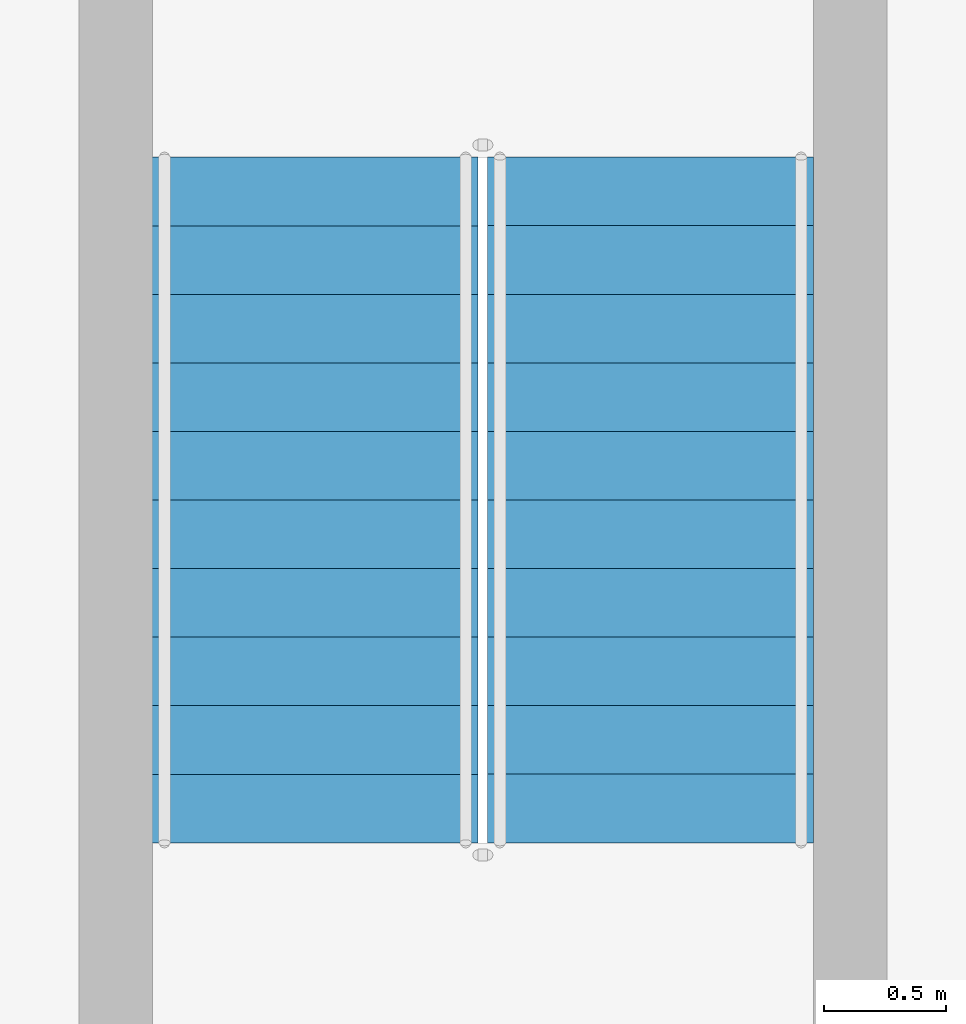
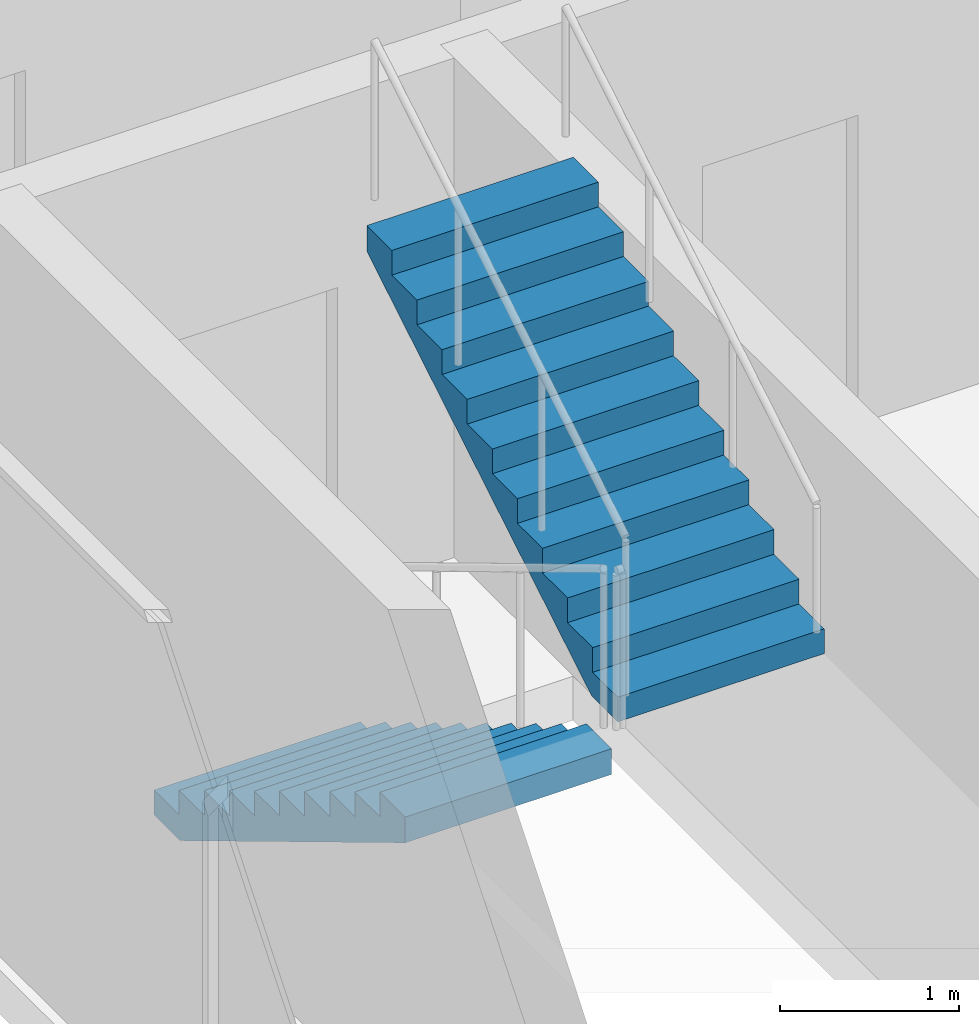
# One storey, part 15 of 23: 2 stair flights, 1 element without a shape of its own.
"""IFC4 building model written with IfcOpenShell, lengths in metres."""

import ifcopenshell
import ifcopenshell.guid

model = None  # the IFC model being written
_history = None  # IfcOwnerHistory: only IFC2X3 demands one
_inside = {}  # id of a spatial element -> (the spatial element, [elements in it])
_under = {}  # id of a project, library or spatial element -> (it, [spatial elements below it])
_declared = {}  # id of a project -> (the project, [libraries it declares])
_typed = {}  # id of a type object -> (the type object, [elements of that type])
_made_of = {}  # id of a material, layer set ... -> (it, [elements and type objects made of it])


def new_model(schema):
    """Start an empty IFC model of exactly this schema.

    Asked for "IFC4X3", IfcOpenShell would pick the latest addendum, in which some entities
    have other attributes; the version numbers below select the first issue.
    IFC2X3 requires an IfcOwnerHistory on every rooted entity: one is made here for all.
    """
    global model, _history
    if schema == "IFC4X3":
        model = ifcopenshell.file(schema_version=(4, 3, 0, 0))
    else:
        model = ifcopenshell.file(schema=schema)
    _inside.clear()
    _under.clear()
    _declared.clear()
    _typed.clear()
    _made_of.clear()
    _history = None
    if model.schema == "IFC2X3":
        org = make("IfcOrganization", Name="unknown")
        user = make(
            "IfcPersonAndOrganization",
            ThePerson=make("IfcPerson", FamilyName="unknown"),
            TheOrganization=org,
        )
        app = make(
            "IfcApplication",
            ApplicationDeveloper=org,
            Version="unknown",
            ApplicationFullName="unknown",
            ApplicationIdentifier="unknown",
        )
        _history = make(
            "IfcOwnerHistory",
            OwningUser=user,
            OwningApplication=app,
            ChangeAction="ADDED",
            CreationDate=0,
        )
    return model


def make(cls, **values):
    """One entity of the class cls with the attributes given. An attribute that is None is left unset."""
    return model.create_entity(
        cls, **{name: value for name, value in values.items() if value is not None}
    )


def rooted(cls, **values):
    """An entity with a GlobalId (a new one), such as an element, a storey or a relation."""
    return make(cls, GlobalId=ifcopenshell.guid.new(), OwnerHistory=_history, **values)


def si_unit(unit_type, name, prefix=None):
    """IfcSIUnit, for example si_unit("LENGTHUNIT", "METRE", prefix="MILLI")."""
    return make("IfcSIUnit", UnitType=unit_type, Prefix=prefix, Name=name)


def assignment(units):
    """IfcUnitAssignment: the units of a project."""
    return None if units is None else make("IfcUnitAssignment", Units=units)


def point(xyz):
    """IfcCartesianPoint."""
    return None if xyz is None else make("IfcCartesianPoint", Coordinates=xyz)


def direction(xyz):
    """IfcDirection."""
    return None if xyz is None else make("IfcDirection", DirectionRatios=xyz)


def frame(location, z_axis=None, x_axis=None):
    """IfcAxis2Placement3D, a coordinate frame: its origin and axes. An axis left out is left unset."""
    return make(
        "IfcAxis2Placement3D",
        Location=point(location),
        Axis=direction(z_axis),
        RefDirection=direction(x_axis),
    )


def origin():
    """The frame at (0, 0, 0) with its axes left unset."""
    return frame((0.0, 0.0, 0.0))


def place(relative_to, where):
    """IfcLocalPlacement: puts the frame where relative to a parent placement (None: the world)."""
    return make(
        "IfcLocalPlacement", PlacementRelTo=relative_to, RelativePlacement=where
    )


def context(
    kind, dimensions, precision=None, world=None, true_north=None, identifier=None
):
    """IfcGeometricRepresentationContext, for example the 3D "Model" context."""
    return make(
        "IfcGeometricRepresentationContext",
        ContextIdentifier=identifier,
        ContextType=kind,
        CoordinateSpaceDimension=dimensions,
        Precision=precision,
        WorldCoordinateSystem=world,
        TrueNorth=true_north,
    )


def subcontext(parent, identifier, kind, view, scale=None):
    """IfcGeometricRepresentationSubContext, for example "Body" below "Model"."""
    return make(
        "IfcGeometricRepresentationSubContext",
        ContextIdentifier=identifier,
        ContextType=kind,
        ParentContext=parent,
        TargetScale=scale,
        TargetView=view,
    )


def project(units=None, contexts=None):
    """IfcProject with its units and contexts."""
    return rooted(
        "IfcProject",
        Name="project",
        RepresentationContexts=contexts,
        UnitsInContext=assignment(units),
    )


def spatial(cls, under=None, at=None, **own):
    """A site, building, storey or space (cls), placed at a placement, below another one or the project."""
    s = rooted(cls, ObjectPlacement=at, **own)
    if under is not None:
        _under.setdefault(under.id(), (under, []))[1].append(s)
    return s


def point_list(points):
    """IfcCartesianPointList2D or 3D."""
    cls = (
        "IfcCartesianPointList2D" if len(points[0]) == 2 else "IfcCartesianPointList3D"
    )
    return make(cls, CoordList=points)


def triangles(points, corners, closed=None, point_numbers=None):
    """IfcTriangulatedFaceSet: each triangle names its three corners, points numbered from 1."""
    return make(
        "IfcTriangulatedFaceSet",
        Coordinates=point_list(points),
        Closed=closed,
        CoordIndex=corners,
        PnIndex=point_numbers,
    )


def shape(context_of_items, identifier, shape_type, items):
    """IfcShapeRepresentation: the items that make up one representation, for example the "Body"."""
    return make(
        "IfcShapeRepresentation",
        ContextOfItems=context_of_items,
        RepresentationIdentifier=identifier,
        RepresentationType=shape_type,
        Items=items,
    )


def source(mapping_origin, context_of_items, identifier, shape_type, items):
    """IfcRepresentationMap: a shape defined once, which mapped items show again and again."""
    return make(
        "IfcRepresentationMap",
        MappingOrigin=mapping_origin,
        MappedRepresentation=shape(context_of_items, identifier, shape_type, items),
    )


def transform(
    local_origin,
    x_axis=None,
    y_axis=None,
    z_axis=None,
    scale=None,
    scale2=None,
    scale3=None,
    uniform=True,
):
    """IfcCartesianTransformationOperator3D, or its non-uniform kind. x_axis, y_axis, z_axis: its Axis1, 2, 3."""
    if uniform:
        return make(
            "IfcCartesianTransformationOperator3D",
            Axis1=direction(x_axis),
            Axis2=direction(y_axis),
            LocalOrigin=point(local_origin),
            Scale=scale,
            Axis3=direction(z_axis),
        )
    return make(
        "IfcCartesianTransformationOperator3DnonUniform",
        Axis1=direction(x_axis),
        Axis2=direction(y_axis),
        LocalOrigin=point(local_origin),
        Scale=scale,
        Axis3=direction(z_axis),
        Scale2=scale2,
        Scale3=scale3,
    )


def mapped(mapping_source, mapping_target):
    """IfcMappedItem: shows the shape of a source again, moved by a transform."""
    return make(
        "IfcMappedItem", MappingSource=mapping_source, MappingTarget=mapping_target
    )


def material(Name=None, Category=None):
    """IfcMaterial."""
    return make("IfcMaterial", Name=Name, Category=Category)


def made_of(thing, what):
    """Note that an element or type object is made of a material, layer set ...; save() writes the relation."""
    if what is not None:
        _made_of.setdefault(what.id(), (what, []))[1].append(thing)
    return thing


def type_object(cls, material=None, **own):
    """A type object (cls), such as IfcWallType, which elements share."""
    return made_of(rooted(cls, **own), material)


def element(
    cls,
    number,
    at=None,
    inside=None,
    cuts=None,
    type_object=None,
    material=None,
    context=None,
    identifier="Body",
    shape_type=None,
    held_by="IfcProductDefinitionShape",
    body=None,
    shapes=None,
    **own,
):
    """One element of the class cls, such as IfcWall. Its Tag is "e" and its number.

    at: its placement. inside: the storey or other place that contains it. cuts: it is an
    opening in that element (IfcRelVoidsElement). A single representation is given by context,
    identifier, shape_type and body (its items); several are given by shapes. held_by: the class
    of the entity that holds the representations. save() writes the other relations.
    """
    e = rooted(cls, Tag="e%d" % number, ObjectPlacement=at, **own)
    if body is not None:
        shapes = [shape(context, identifier, shape_type, body)]
    if shapes is not None:
        e.Representation = make(held_by, Representations=shapes)
    if inside is not None:
        _inside.setdefault(inside.id(), (inside, []))[1].append(e)
    if cuts is not None:
        rooted(
            "IfcRelVoidsElement", RelatingBuildingElement=cuts, RelatedOpeningElement=e
        )
    if type_object is not None:
        _typed.setdefault(type_object.id(), (type_object, []))[1].append(e)
    return made_of(e, material)


def aggregate(whole, parts):
    """IfcRelAggregates: a whole, such as a stair, and the parts it consists of."""
    return rooted("IfcRelAggregates", RelatingObject=whole, RelatedObjects=parts)


def save(model, path):
    """Write the relations noted so far, then the file.

    IfcRelAggregates (storeys below a building ...), IfcRelContainedInSpatialStructure (elements
    in a storey), IfcRelDefinesByType, IfcRelAssociatesMaterial and IfcRelDeclares: one each for
    every whole, place, type object, material and project.
    """
    for whole, parts in _under.values():
        aggregate(whole, parts)
    for where, things in _inside.values():
        rooted(
            "IfcRelContainedInSpatialStructure",
            RelatedElements=things,
            RelatingStructure=where,
        )
    for kind, things in _typed.values():
        rooted("IfcRelDefinesByType", RelatedObjects=things, RelatingType=kind)
    for what, things in _made_of.values():
        rooted("IfcRelAssociatesMaterial", RelatedObjects=things, RelatingMaterial=what)
    for by, libraries in _declared.values():
        rooted("IfcRelDeclares", RelatingContext=by, RelatedDefinitions=libraries)
    model.write(path)


model = new_model("IFC4")

# Units and contexts
model_context = context("Model", 3, precision=1e-05, world=origin(), true_north=direction((0.0, 1.0)))
body_context = subcontext(model_context, "Body", "Model", "MODEL_VIEW")
ifc_project = project(units=[si_unit("LENGTHUNIT", "METRE"), si_unit("AREAUNIT", "SQUARE_METRE"), si_unit("VOLUMEUNIT", "CUBIC_METRE"), si_unit("PLANEANGLEUNIT", "RADIAN"), si_unit("MASSUNIT", "GRAM", prefix="KILO")], contexts=[model_context])

# Site, building, storey
site_placement = place(None, origin())
site = spatial("IfcSite", under=ifc_project, at=site_placement, CompositionType="ELEMENT")
building_placement = place(site_placement, origin())
building = spatial("IfcBuilding", under=site, at=building_placement, Name="Ogive Portal Towers", CompositionType="ELEMENT")
storey_placement = place(building_placement, frame((0.0, 0.0, 164.39990234375)))
storey = spatial("IfcBuildingStorey", under=building, at=storey_placement, Name="L40", CompositionType="ELEMENT", Elevation=164.39990234375)

# Stair, stair flights
ifc_material = material(Name="Concrete C40/50", Category="concrete")
stair_type = type_object("IfcStairType", Name="INT-STAIR", PredefinedType="HALF_TURN_STAIR", material=ifc_material)
stair_placement = place(storey_placement, origin())
stair = element("IfcStair", 1, at=stair_placement, inside=storey, type_object=stair_type, Name="L40 Exit Stair ST-A4", PredefinedType="HALF_TURN_STAIR")
stair_flight_type = type_object("IfcStairFlightType", Name="INT-FLIGHT", PredefinedType="STRAIGHT", material=ifc_material)
shared_shape = source(origin(), body_context, "Body", "Tessellation", [
    triangles([(0.0, -0.6650390625, 0.0), (0.0, -0.384765625, 0.0), (0.0, -0.197021484375, 0.0), (0.0, -0.0830078125, 0.0), (0.0, -0.024658203125, 0.0), (0.0, -0.003173828125, 0.0), (0.0, 0.0, 0.0), (0.0, 0.003173828125, 0.0), (0.0, 0.024658203125, 0.0), (0.0, 0.0830078125, 0.0), (0.0, 0.197021484375, 0.0), (0.0, 0.384765625, 0.0), (0.0, 0.6650390625, 0.0), (0.0, -0.6650390625, 0.168212890625), (0.0, -0.384765625, 0.168212890625), (0.0, -0.197021484375, 0.168212890625), (0.0, -0.0830078125, 0.168212890625), (0.0, -0.024658203125, 0.168212890625), (0.0, -0.003173828125, 0.168212890625), (0.0, 0.0, 0.168212890625), (0.0, 0.003173828125, 0.168212890625), (0.0, 0.024658203125, 0.168212890625), (0.0, 0.0830078125, 0.168212890625), (0.0, 0.197021484375, 0.168212890625), (0.0, 0.384765625, 0.168212890625), (0.0, 0.6650390625, 0.168212890625), (0.280029296875, -0.6650390625, 0.168212890625), (0.280029296875, -0.384765625, 0.168212890625), (0.280029296875, -0.197021484375, 0.168212890625), (0.280029296875, -0.0830078125, 0.168212890625), (0.280029296875, -0.024658203125, 0.168212890625), (0.280029296875, -0.003173828125, 0.168212890625), (0.280029296875, 0.0, 0.168212890625), (0.280029296875, 0.003173828125, 0.168212890625), (0.280029296875, 0.024658203125, 0.168212890625), (0.280029296875, 0.0830078125, 0.168212890625), (0.280029296875, 0.197021484375, 0.168212890625), (0.280029296875, 0.384765625, 0.168212890625), (0.280029296875, 0.6650390625, 0.168212890625), (0.280029296875, -0.6650390625, 0.33642578125), (0.280029296875, -0.384765625, 0.33642578125), (0.280029296875, -0.197021484375, 0.33642578125), (0.280029296875, -0.0830078125, 0.33642578125), (0.280029296875, -0.024658203125, 0.33642578125), (0.280029296875, -0.003173828125, 0.33642578125), (0.280029296875, 0.0, 0.33642578125), (0.280029296875, 0.003173828125, 0.33642578125), (0.280029296875, 0.024658203125, 0.33642578125), (0.280029296875, 0.0830078125, 0.33642578125), (0.280029296875, 0.197021484375, 0.33642578125), (0.280029296875, 0.384765625, 0.33642578125), (0.280029296875, 0.6650390625, 0.33642578125), (0.56005859375, -0.6650390625, 0.33642578125), (0.56005859375, -0.384765625, 0.33642578125), (0.56005859375, -0.197021484375, 0.33642578125), (0.56005859375, -0.0830078125, 0.33642578125), (0.56005859375, -0.024658203125, 0.33642578125), (0.56005859375, -0.003173828125, 0.33642578125), (0.56005859375, 0.0, 0.33642578125), (0.56005859375, 0.003173828125, 0.33642578125), (0.56005859375, 0.024658203125, 0.33642578125), (0.56005859375, 0.0830078125, 0.33642578125), (0.56005859375, 0.197021484375, 0.33642578125), (0.56005859375, 0.384765625, 0.33642578125), (0.56005859375, 0.6650390625, 0.33642578125), (0.56005859375, -0.6650390625, 0.504638671875), (0.56005859375, -0.384765625, 0.504638671875), (0.56005859375, -0.197021484375, 0.504638671875), (0.56005859375, -0.0830078125, 0.504638671875), (0.56005859375, -0.024658203125, 0.504638671875), (0.56005859375, -0.003173828125, 0.504638671875), (0.56005859375, 0.0, 0.504638671875), (0.56005859375, 0.003173828125, 0.504638671875), (0.56005859375, 0.024658203125, 0.504638671875), (0.56005859375, 0.0830078125, 0.504638671875), (0.56005859375, 0.197021484375, 0.504638671875), (0.56005859375, 0.384765625, 0.504638671875), (0.56005859375, 0.6650390625, 0.504638671875), (0.840087890625, -0.6650390625, 0.504638671875), (0.840087890625, -0.384765625, 0.504638671875), (0.840087890625, -0.197021484375, 0.504638671875), (0.840087890625, -0.0830078125, 0.504638671875), (0.840087890625, -0.024658203125, 0.504638671875), (0.840087890625, -0.003173828125, 0.504638671875), (0.840087890625, 0.0, 0.504638671875), (0.840087890625, 0.003173828125, 0.504638671875), (0.840087890625, 0.024658203125, 0.504638671875), (0.840087890625, 0.0830078125, 0.504638671875), (0.840087890625, 0.197021484375, 0.504638671875), (0.840087890625, 0.384765625, 0.504638671875), (0.840087890625, 0.6650390625, 0.504638671875), (0.840087890625, -0.6650390625, 0.672607421875), (0.840087890625, -0.384765625, 0.672607421875), (0.840087890625, -0.197021484375, 0.672607421875), (0.840087890625, -0.0830078125, 0.672607421875), (0.840087890625, -0.024658203125, 0.672607421875), (0.840087890625, -0.003173828125, 0.672607421875), (0.840087890625, 0.0, 0.672607421875), (0.840087890625, 0.003173828125, 0.672607421875), (0.840087890625, 0.024658203125, 0.672607421875), (0.840087890625, 0.0830078125, 0.672607421875), (0.840087890625, 0.197021484375, 0.672607421875), (0.840087890625, 0.384765625, 0.672607421875), (0.840087890625, 0.6650390625, 0.672607421875), (1.1201171875, -0.6650390625, 0.672607421875), (1.1201171875, -0.384765625, 0.672607421875), (1.1201171875, -0.197021484375, 0.672607421875), (1.1201171875, -0.0830078125, 0.672607421875), (1.1201171875, -0.024658203125, 0.672607421875), (1.1201171875, -0.003173828125, 0.672607421875), (1.1201171875, 0.0, 0.672607421875), (1.1201171875, 0.003173828125, 0.672607421875), (1.1201171875, 0.024658203125, 0.672607421875), (1.1201171875, 0.0830078125, 0.672607421875), (1.1201171875, 0.197021484375, 0.672607421875), (1.1201171875, 0.384765625, 0.672607421875), (1.1201171875, 0.6650390625, 0.672607421875), (1.1201171875, -0.6650390625, 0.8408203125), (1.1201171875, -0.384765625, 0.8408203125), (1.1201171875, -0.197021484375, 0.8408203125), (1.1201171875, -0.0830078125, 0.8408203125), (1.1201171875, -0.024658203125, 0.8408203125), (1.1201171875, -0.003173828125, 0.8408203125), (1.1201171875, 0.0, 0.8408203125), (1.1201171875, 0.003173828125, 0.8408203125), (1.1201171875, 0.024658203125, 0.8408203125), (1.1201171875, 0.0830078125, 0.8408203125), (1.1201171875, 0.197021484375, 0.8408203125), (1.1201171875, 0.384765625, 0.8408203125), (1.1201171875, 0.6650390625, 0.8408203125), (1.39990234375, -0.6650390625, 0.8408203125), (1.39990234375, -0.384765625, 0.8408203125), (1.39990234375, -0.197021484375, 0.8408203125), (1.39990234375, -0.0830078125, 0.8408203125), (1.39990234375, -0.024658203125, 0.8408203125), (1.39990234375, -0.003173828125, 0.8408203125), (1.39990234375, 0.0, 0.8408203125), (1.39990234375, 0.003173828125, 0.8408203125), (1.39990234375, 0.024658203125, 0.8408203125), (1.39990234375, 0.0830078125, 0.8408203125), (1.39990234375, 0.197021484375, 0.8408203125), (1.39990234375, 0.384765625, 0.8408203125), (1.39990234375, 0.6650390625, 0.8408203125), (1.39990234375, -0.6650390625, 1.009033203125), (1.39990234375, -0.384765625, 1.009033203125), (1.39990234375, -0.197021484375, 1.009033203125), (1.39990234375, -0.0830078125, 1.009033203125), (1.39990234375, -0.024658203125, 1.009033203125), (1.39990234375, -0.003173828125, 1.009033203125), (1.39990234375, 0.0, 1.009033203125), (1.39990234375, 0.003173828125, 1.009033203125), (1.39990234375, 0.024658203125, 1.009033203125), (1.39990234375, 0.0830078125, 1.009033203125), (1.39990234375, 0.197021484375, 1.009033203125), (1.39990234375, 0.384765625, 1.009033203125), (1.39990234375, 0.6650390625, 1.009033203125), (1.679931640625, -0.6650390625, 1.009033203125), (1.679931640625, -0.384765625, 1.009033203125), (1.679931640625, -0.197021484375, 1.009033203125), (1.679931640625, -0.0830078125, 1.009033203125), (1.679931640625, -0.024658203125, 1.009033203125), (1.679931640625, -0.003173828125, 1.009033203125), (1.679931640625, 0.0, 1.009033203125), (1.679931640625, 0.003173828125, 1.009033203125), (1.679931640625, 0.024658203125, 1.009033203125), (1.679931640625, 0.0830078125, 1.009033203125), (1.679931640625, 0.197021484375, 1.009033203125), (1.679931640625, 0.384765625, 1.009033203125), (1.679931640625, 0.6650390625, 1.009033203125), (1.679931640625, -0.6650390625, 1.17724609375), (1.679931640625, -0.384765625, 1.17724609375), (1.679931640625, -0.197021484375, 1.17724609375), (1.679931640625, -0.0830078125, 1.17724609375), (1.679931640625, -0.024658203125, 1.17724609375), (1.679931640625, -0.003173828125, 1.17724609375), (1.679931640625, 0.0, 1.17724609375), (1.679931640625, 0.003173828125, 1.17724609375), (1.679931640625, 0.024658203125, 1.17724609375), (1.679931640625, 0.0830078125, 1.17724609375), (1.679931640625, 0.197021484375, 1.17724609375), (1.679931640625, 0.384765625, 1.17724609375), (1.679931640625, 0.6650390625, 1.17724609375), (1.9599609375, -0.6650390625, 1.17724609375), (1.9599609375, -0.384765625, 1.17724609375), (1.9599609375, -0.197021484375, 1.17724609375), (1.9599609375, -0.0830078125, 1.17724609375), (1.9599609375, -0.024658203125, 1.17724609375), (1.9599609375, -0.003173828125, 1.17724609375), (1.9599609375, 0.0, 1.17724609375), (1.9599609375, 0.003173828125, 1.17724609375), (1.9599609375, 0.024658203125, 1.17724609375), (1.9599609375, 0.0830078125, 1.17724609375), (1.9599609375, 0.197021484375, 1.17724609375), (1.9599609375, 0.384765625, 1.17724609375), (1.9599609375, 0.6650390625, 1.17724609375), (1.9599609375, -0.6650390625, 1.345458984375), (1.9599609375, -0.384765625, 1.345458984375), (1.9599609375, -0.197021484375, 1.345458984375), (1.9599609375, -0.0830078125, 1.345458984375), (1.9599609375, -0.024658203125, 1.345458984375), (1.9599609375, -0.003173828125, 1.345458984375), (1.9599609375, 0.0, 1.345458984375), (1.9599609375, 0.003173828125, 1.345458984375), (1.9599609375, 0.024658203125, 1.345458984375), (1.9599609375, 0.0830078125, 1.345458984375), (1.9599609375, 0.197021484375, 1.345458984375), (1.9599609375, 0.384765625, 1.345458984375), (1.9599609375, 0.6650390625, 1.345458984375), (2.239990234375, -0.6650390625, 1.345458984375), (2.239990234375, -0.384765625, 1.345458984375), (2.239990234375, -0.197021484375, 1.345458984375), (2.239990234375, -0.0830078125, 1.345458984375), (2.239990234375, -0.024658203125, 1.345458984375), (2.239990234375, -0.003173828125, 1.345458984375), (2.239990234375, 0.0, 1.345458984375), (2.239990234375, 0.003173828125, 1.345458984375), (2.239990234375, 0.024658203125, 1.345458984375), (2.239990234375, 0.0830078125, 1.345458984375), (2.239990234375, 0.197021484375, 1.345458984375), (2.239990234375, 0.384765625, 1.345458984375), (2.239990234375, 0.6650390625, 1.345458984375), (2.239990234375, -0.6650390625, 1.513671875), (2.239990234375, -0.384765625, 1.513671875), (2.239990234375, -0.197021484375, 1.513671875), (2.239990234375, -0.0830078125, 1.513671875), (2.239990234375, -0.024658203125, 1.513671875), (2.239990234375, -0.003173828125, 1.513671875), (2.239990234375, 0.0, 1.513671875), (2.239990234375, 0.003173828125, 1.513671875), (2.239990234375, 0.024658203125, 1.513671875), (2.239990234375, 0.0830078125, 1.513671875), (2.239990234375, 0.197021484375, 1.513671875), (2.239990234375, 0.384765625, 1.513671875), (2.239990234375, 0.6650390625, 1.513671875), (2.52001953125, -0.6650390625, 1.513671875), (2.52001953125, -0.384765625, 1.513671875), (2.52001953125, -0.197021484375, 1.513671875), (2.52001953125, -0.0830078125, 1.513671875), (2.52001953125, -0.024658203125, 1.513671875), (2.52001953125, -0.003173828125, 1.513671875), (2.52001953125, 0.0, 1.513671875), (2.52001953125, 0.003173828125, 1.513671875), (2.52001953125, 0.024658203125, 1.513671875), (2.52001953125, 0.0830078125, 1.513671875), (2.52001953125, 0.197021484375, 1.513671875), (2.52001953125, 0.384765625, 1.513671875), (2.52001953125, 0.6650390625, 1.513671875), (2.52001953125, -0.6650390625, 1.681884765625), (2.52001953125, -0.384765625, 1.681884765625), (2.52001953125, -0.197021484375, 1.681884765625), (2.52001953125, -0.0830078125, 1.681884765625), (2.52001953125, -0.024658203125, 1.681884765625), (2.52001953125, -0.003173828125, 1.681884765625), (2.52001953125, 0.0, 1.681884765625), (2.52001953125, 0.003173828125, 1.681884765625), (2.52001953125, 0.024658203125, 1.681884765625), (2.52001953125, 0.0830078125, 1.681884765625), (2.52001953125, 0.197021484375, 1.681884765625), (2.52001953125, 0.384765625, 1.681884765625), (2.52001953125, 0.6650390625, 1.681884765625), (2.800048828125, -0.6650390625, 1.681884765625), (2.800048828125, -0.384765625, 1.681884765625), (2.800048828125, -0.197021484375, 1.681884765625), (2.800048828125, -0.0830078125, 1.681884765625), (2.800048828125, -0.024658203125, 1.681884765625), (2.800048828125, -0.003173828125, 1.681884765625), (2.800048828125, 0.0, 1.681884765625), (2.800048828125, 0.003173828125, 1.681884765625), (2.800048828125, 0.024658203125, 1.681884765625), (2.800048828125, 0.0830078125, 1.681884765625), (2.800048828125, 0.197021484375, 1.681884765625), (2.800048828125, 0.384765625, 1.681884765625), (2.800048828125, 0.6650390625, 1.681884765625), (2.800048828125, -0.6650390625, 1.5068359375), (2.800048828125, -0.384765625, 1.5068359375), (2.800048828125, -0.197021484375, 1.5068359375), (2.800048828125, -0.0830078125, 1.5068359375), (2.800048828125, -0.024658203125, 1.5068359375), (2.800048828125, -0.003173828125, 1.5068359375), (2.800048828125, 0.0, 1.5068359375), (2.800048828125, 0.003173828125, 1.5068359375), (2.800048828125, 0.024658203125, 1.5068359375), (2.800048828125, 0.0830078125, 1.5068359375), (2.800048828125, 0.197021484375, 1.5068359375), (2.800048828125, 0.384765625, 1.5068359375), (2.800048828125, 0.6650390625, 1.5068359375), (0.291015625, -0.6650390625, 0.0), (0.291015625, -0.384765625, 0.0), (0.291015625, -0.197021484375, 0.0), (0.291015625, -0.0830078125, 0.0), (0.291015625, -0.024658203125, 0.0), (0.291015625, -0.003173828125, 0.0), (0.291015625, 0.0, 0.0), (0.291015625, 0.003173828125, 0.0), (0.291015625, 0.024658203125, 0.0), (0.291015625, 0.0830078125, 0.0), (0.291015625, 0.197021484375, 0.0), (0.291015625, 0.384765625, 0.0), (0.291015625, 0.6650390625, 0.0)], [[1, 14, 15], [1, 15, 2], [2, 15, 16], [2, 16, 3], [3, 16, 17], [3, 17, 4], [4, 17, 18], [4, 18, 5], [5, 18, 19], [5, 19, 6], [6, 19, 20], [6, 20, 7], [7, 20, 21], [7, 21, 8], [8, 21, 22], [8, 22, 9], [9, 22, 23], [9, 23, 10], [10, 23, 24], [10, 24, 11], [11, 24, 25], [11, 25, 12], [12, 25, 26], [12, 26, 13], [14, 27, 28], [14, 28, 15], [15, 28, 29], [15, 29, 16], [16, 29, 30], [16, 30, 17], [17, 30, 31], [17, 31, 18], [18, 31, 32], [18, 32, 19], [19, 32, 33], [19, 33, 20], [20, 33, 34], [20, 34, 21], [21, 34, 35], [21, 35, 22], [22, 35, 36], [22, 36, 23], [23, 36, 37], [23, 37, 24], [24, 37, 38], [24, 38, 25], [25, 38, 39], [25, 39, 26], [27, 40, 41], [27, 41, 28], [28, 41, 42], [28, 42, 29], [29, 42, 43], [29, 43, 30], [30, 43, 44], [30, 44, 31], [31, 44, 45], [31, 45, 32], [32, 45, 46], [32, 46, 33], [33, 46, 47], [33, 47, 34], [34, 47, 48], [34, 48, 35], [35, 48, 49], [35, 49, 36], [36, 49, 50], [36, 50, 37], [37, 50, 51], [37, 51, 38], [38, 51, 52], [38, 52, 39], [40, 53, 54], [40, 54, 41], [41, 54, 55], [41, 55, 42], [42, 55, 56], [42, 56, 43], [43, 56, 57], [43, 57, 44], [44, 57, 58], [44, 58, 45], [45, 58, 59], [45, 59, 46], [46, 59, 60], [46, 60, 47], [47, 60, 61], [47, 61, 48], [48, 61, 62], [48, 62, 49], [49, 62, 63], [49, 63, 50], [50, 63, 64], [50, 64, 51], [51, 64, 65], [51, 65, 52], [53, 66, 67], [53, 67, 54], [54, 67, 68], [54, 68, 55], [55, 68, 69], [55, 69, 56], [56, 69, 70], [56, 70, 57], [57, 70, 71], [57, 71, 58], [58, 71, 72], [58, 72, 59], [59, 72, 73], [59, 73, 60], [60, 73, 74], [60, 74, 61], [61, 74, 75], [61, 75, 62], [62, 75, 76], [62, 76, 63], [63, 76, 77], [63, 77, 64], [64, 77, 78], [64, 78, 65], [66, 79, 80], [66, 80, 67], [67, 80, 81], [67, 81, 68], [68, 81, 82], [68, 82, 69], [69, 82, 83], [69, 83, 70], [70, 83, 84], [70, 84, 71], [71, 84, 85], [71, 85, 72], [72, 85, 86], [72, 86, 73], [73, 86, 87], [73, 87, 74], [74, 87, 88], [74, 88, 75], [75, 88, 89], [75, 89, 76], [76, 89, 90], [76, 90, 77], [77, 90, 91], [77, 91, 78], [79, 92, 93], [79, 93, 80], [80, 93, 94], [80, 94, 81], [81, 94, 95], [81, 95, 82], [82, 95, 96], [82, 96, 83], [83, 96, 97], [83, 97, 84], [84, 97, 98], [84, 98, 85], [85, 98, 99], [85, 99, 86], [86, 99, 100], [86, 100, 87], [87, 100, 101], [87, 101, 88], [88, 101, 102], [88, 102, 89], [89, 102, 103], [89, 103, 90], [90, 103, 104], [90, 104, 91], [92, 105, 106], [92, 106, 93], [93, 106, 107], [93, 107, 94], [94, 107, 108], [94, 108, 95], [95, 108, 109], [95, 109, 96], [96, 109, 110], [96, 110, 97], [97, 110, 111], [97, 111, 98], [98, 111, 112], [98, 112, 99], [99, 112, 113], [99, 113, 100], [100, 113, 114], [100, 114, 101], [101, 114, 115], [101, 115, 102], [102, 115, 116], [102, 116, 103], [103, 116, 117], [103, 117, 104], [105, 118, 119], [105, 119, 106], [106, 119, 120], [106, 120, 107], [107, 120, 121], [107, 121, 108], [108, 121, 122], [108, 122, 109], [109, 122, 123], [109, 123, 110], [110, 123, 124], [110, 124, 111], [111, 124, 125], [111, 125, 112], [112, 125, 126], [112, 126, 113], [113, 126, 127], [113, 127, 114], [114, 127, 128], [114, 128, 115], [115, 128, 129], [115, 129, 116], [116, 129, 130], [116, 130, 117], [118, 131, 132], [118, 132, 119], [119, 132, 133], [119, 133, 120], [120, 133, 134], [120, 134, 121], [121, 134, 135], [121, 135, 122], [122, 135, 136], [122, 136, 123], [123, 136, 137], [123, 137, 124], [124, 137, 138], [124, 138, 125], [125, 138, 139], [125, 139, 126], [126, 139, 140], [126, 140, 127], [127, 140, 141], [127, 141, 128], [128, 141, 142], [128, 142, 129], [129, 142, 143], [129, 143, 130], [131, 144, 145], [131, 145, 132], [132, 145, 146], [132, 146, 133], [133, 146, 147], [133, 147, 134], [134, 147, 148], [134, 148, 135], [135, 148, 149], [135, 149, 136], [136, 149, 150], [136, 150, 137], [137, 150, 151], [137, 151, 138], [138, 151, 152], [138, 152, 139], [139, 152, 153], [139, 153, 140], [140, 153, 154], [140, 154, 141], [141, 154, 155], [141, 155, 142], [142, 155, 156], [142, 156, 143], [144, 157, 158], [144, 158, 145], [145, 158, 159], [145, 159, 146], [146, 159, 160], [146, 160, 147], [147, 160, 161], [147, 161, 148], [148, 161, 162], [148, 162, 149], [149, 162, 163], [149, 163, 150], [150, 163, 164], [150, 164, 151], [151, 164, 165], [151, 165, 152], [152, 165, 166], [152, 166, 153], [153, 166, 167], [153, 167, 154], [154, 167, 168], [154, 168, 155], [155, 168, 169], [155, 169, 156], [157, 170, 171], [157, 171, 158], [158, 171, 172], [158, 172, 159], [159, 172, 173], [159, 173, 160], [160, 173, 174], [160, 174, 161], [161, 174, 175], [161, 175, 162], [162, 175, 176], [162, 176, 163], [163, 176, 177], [163, 177, 164], [164, 177, 178], [164, 178, 165], [165, 178, 179], [165, 179, 166], [166, 179, 180], [166, 180, 167], [167, 180, 181], [167, 181, 168], [168, 181, 182], [168, 182, 169], [170, 183, 184], [170, 184, 171], [171, 184, 185], [171, 185, 172], [172, 185, 186], [172, 186, 173], [173, 186, 187], [173, 187, 174], [174, 187, 188], [174, 188, 175], [175, 188, 189], [175, 189, 176], [176, 189, 190], [176, 190, 177], [177, 190, 191], [177, 191, 178], [178, 191, 192], [178, 192, 179], [179, 192, 193], [179, 193, 180], [180, 193, 194], [180, 194, 181], [181, 194, 195], [181, 195, 182], [183, 196, 197], [183, 197, 184], [184, 197, 198], [184, 198, 185], [185, 198, 199], [185, 199, 186], [186, 199, 200], [186, 200, 187], [187, 200, 201], [187, 201, 188], [188, 201, 202], [188, 202, 189], [189, 202, 203], [189, 203, 190], [190, 203, 204], [190, 204, 191], [191, 204, 205], [191, 205, 192], [192, 205, 206], [192, 206, 193], [193, 206, 207], [193, 207, 194], [194, 207, 208], [194, 208, 195], [196, 209, 210], [196, 210, 197], [197, 210, 211], [197, 211, 198], [198, 211, 212], [198, 212, 199], [199, 212, 213], [199, 213, 200], [200, 213, 214], [200, 214, 201], [201, 214, 215], [201, 215, 202], [202, 215, 216], [202, 216, 203], [203, 216, 217], [203, 217, 204], [204, 217, 218], [204, 218, 205], [205, 218, 219], [205, 219, 206], [206, 219, 220], [206, 220, 207], [207, 220, 221], [207, 221, 208], [209, 222, 223], [209, 223, 210], [210, 223, 224], [210, 224, 211], [211, 224, 225], [211, 225, 212], [212, 225, 226], [212, 226, 213], [213, 226, 227], [213, 227, 214], [214, 227, 228], [214, 228, 215], [215, 228, 229], [215, 229, 216], [216, 229, 230], [216, 230, 217], [217, 230, 231], [217, 231, 218], [218, 231, 232], [218, 232, 219], [219, 232, 233], [219, 233, 220], [220, 233, 234], [220, 234, 221], [222, 235, 236], [222, 236, 223], [223, 236, 237], [223, 237, 224], [224, 237, 238], [224, 238, 225], [225, 238, 239], [225, 239, 226], [226, 239, 240], [226, 240, 227], [227, 240, 241], [227, 241, 228], [228, 241, 242], [228, 242, 229], [229, 242, 243], [229, 243, 230], [230, 243, 244], [230, 244, 231], [231, 244, 245], [231, 245, 232], [232, 245, 246], [232, 246, 233], [233, 246, 247], [233, 247, 234], [235, 248, 249], [235, 249, 236], [236, 249, 250], [236, 250, 237], [237, 250, 251], [237, 251, 238], [238, 251, 252], [238, 252, 239], [239, 252, 253], [239, 253, 240], [240, 253, 254], [240, 254, 241], [241, 254, 255], [241, 255, 242], [242, 255, 256], [242, 256, 243], [243, 256, 257], [243, 257, 244], [244, 257, 258], [244, 258, 245], [245, 258, 259], [245, 259, 246], [246, 259, 260], [246, 260, 247], [248, 261, 262], [248, 262, 249], [249, 262, 263], [249, 263, 250], [250, 263, 264], [250, 264, 251], [251, 264, 265], [251, 265, 252], [252, 265, 266], [252, 266, 253], [253, 266, 267], [253, 267, 254], [254, 267, 268], [254, 268, 255], [255, 268, 269], [255, 269, 256], [256, 269, 270], [256, 270, 257], [257, 270, 271], [257, 271, 258], [258, 271, 272], [258, 272, 259], [259, 272, 273], [259, 273, 260], [261, 274, 275], [261, 275, 262], [262, 275, 276], [262, 276, 263], [263, 276, 277], [263, 277, 264], [264, 277, 278], [264, 278, 265], [265, 278, 279], [265, 279, 266], [266, 279, 280], [266, 280, 267], [267, 280, 281], [267, 281, 268], [268, 281, 282], [268, 282, 269], [269, 282, 283], [269, 283, 270], [270, 283, 284], [270, 284, 271], [271, 284, 285], [271, 285, 272], [272, 285, 286], [272, 286, 273], [274, 287, 288], [274, 288, 275], [275, 288, 289], [275, 289, 276], [276, 289, 290], [276, 290, 277], [277, 290, 291], [277, 291, 278], [278, 291, 292], [278, 292, 279], [279, 292, 293], [279, 293, 280], [280, 293, 294], [280, 294, 281], [281, 294, 295], [281, 295, 282], [282, 295, 296], [282, 296, 283], [283, 296, 297], [283, 297, 284], [284, 297, 298], [284, 298, 285], [285, 298, 299], [285, 299, 286], [287, 1, 2], [287, 2, 288], [288, 2, 3], [288, 3, 289], [289, 3, 4], [289, 4, 290], [290, 4, 5], [290, 5, 291], [291, 5, 6], [291, 6, 292], [292, 6, 7], [292, 7, 293], [293, 7, 8], [293, 8, 294], [294, 8, 9], [294, 9, 295], [295, 9, 10], [295, 10, 296], [296, 10, 11], [296, 11, 297], [297, 11, 12], [297, 12, 298], [298, 12, 13], [298, 13, 299], [1, 287, 274], [13, 286, 299], [274, 261, 248], [286, 260, 273], [274, 248, 235], [286, 247, 260], [274, 235, 222], [286, 234, 247], [274, 222, 209], [286, 221, 234], [209, 196, 183], [221, 195, 208], [274, 209, 183], [286, 195, 221], [183, 170, 157], [195, 169, 182], [274, 183, 157], [286, 169, 195], [157, 144, 131], [169, 143, 156], [274, 157, 131], [286, 143, 169], [131, 118, 105], [143, 117, 130], [274, 131, 105], [286, 117, 143], [1, 274, 105], [13, 117, 286], [105, 92, 79], [117, 91, 104], [79, 66, 53], [91, 65, 78], [105, 79, 53], [117, 65, 91], [53, 40, 27], [65, 39, 52], [105, 53, 27], [117, 39, 65], [1, 105, 27], [13, 39, 117], [27, 14, 1], [39, 13, 26]], closed=True),
])
stair_flight_1_placement = place(storey_placement, frame((87.6650390625, 29.169921875, 0.0), z_axis=(0.0, 0.0, 1.0), x_axis=(0.0, -1.0, 0.0)))
stair_flight_1 = element("IfcStairFlight", 2, at=stair_flight_1_placement, type_object=stair_flight_type, Name="ST-A4 flight 1", NumberOfRisers=11, NumberOfTreads=10, PredefinedType="STRAIGHT", RiserHeight=0.168181818, TreadLength=0.28, context=body_context, shape_type="MappedRepresentation", body=[
    mapped(shared_shape, transform((0.0, 0.0, 0.0), scale=1.0)),
])
stair_flight_2_placement = place(storey_placement, frame((89.034912109375, 26.3701171875, 1.85009765625), z_axis=(0.0, 0.0, 1.0), x_axis=(0.0, 1.0, 0.0)))
stair_flight_2 = element("IfcStairFlight", 3, at=stair_flight_2_placement, type_object=stair_flight_type, Name="ST-A4 flight 2", NumberOfRisers=11, NumberOfTreads=10, PredefinedType="STRAIGHT", RiserHeight=0.168181818, TreadLength=0.28, context=body_context, shape_type="MappedRepresentation", body=[
    mapped(shared_shape, transform((0.0, 0.0, 0.0), scale=1.0)),
])
aggregate(stair, [stair_flight_1, stair_flight_2])

save(model, "model.ifc")
